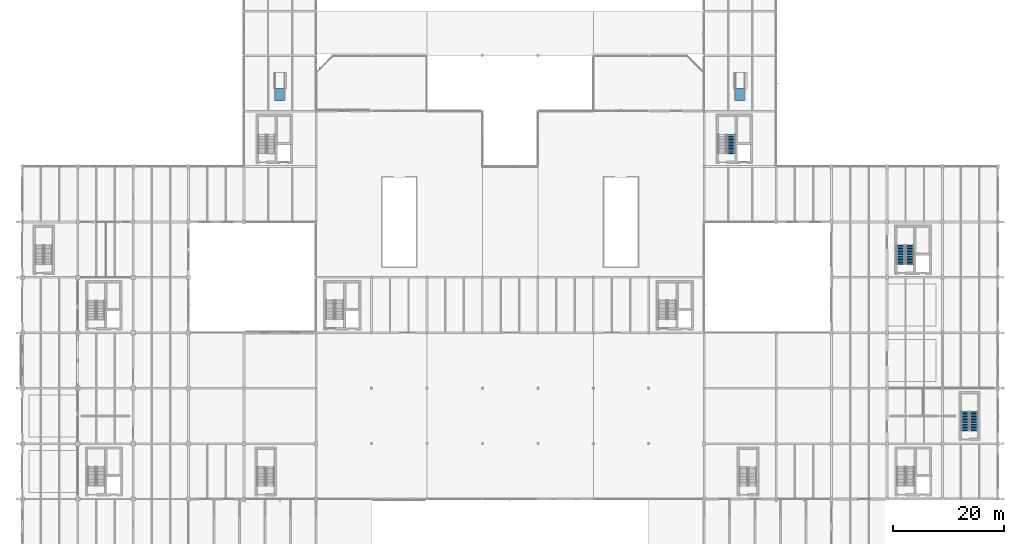
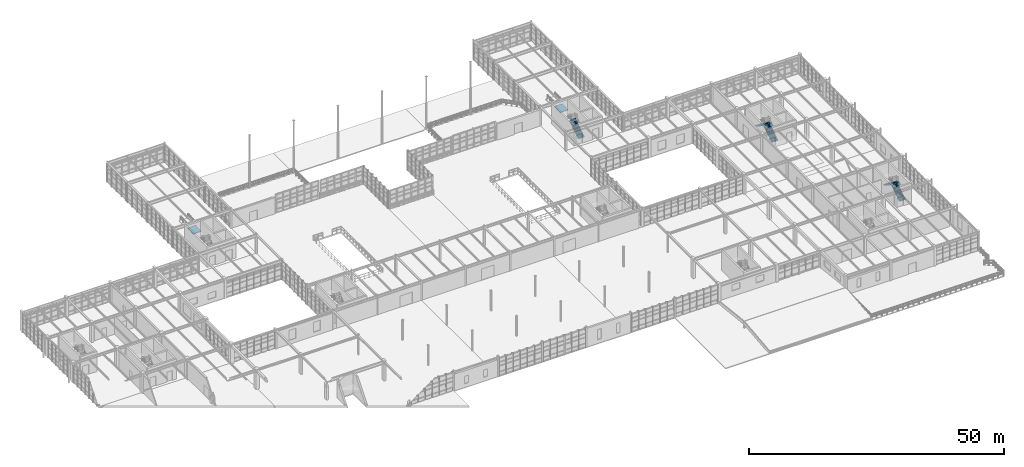
# One storey, part 124 of 139: 5 stair flights, 2 ramp flights, 5 elements without a shape of their own.
"""IFC4 building model written with IfcOpenShell, lengths in metres."""

from ifc_helpers import new_model, si_unit, direction, frame, origin, place, context, subcontext, project, spatial, polyline, outline, extrude, material, layer, layer_set, type_object, element, aggregate, save


model = new_model("IFC4")

# Units and contexts
model_context = context("Model", 3, precision=1e-05, world=origin(), true_north=direction((0.0, 1.0)))
body_context = subcontext(model_context, "Body", "Model", "MODEL_VIEW")
ifc_project = project(units=[si_unit("LENGTHUNIT", "METRE"), si_unit("AREAUNIT", "SQUARE_METRE"), si_unit("VOLUMEUNIT", "CUBIC_METRE"), si_unit("PLANEANGLEUNIT", "RADIAN"), si_unit("MASSUNIT", "GRAM", prefix="KILO"), si_unit("THERMODYNAMICTEMPERATUREUNIT", "KELVIN"), si_unit("POWERUNIT", "WATT")], contexts=[model_context])

# Site, building, storey
site_placement = place(None, origin())
site = spatial("IfcSite", under=ifc_project, at=site_placement, CompositionType="ELEMENT")
building_placement = place(site_placement, origin())
building = spatial("IfcBuilding", under=site, at=building_placement, Name="Korenveer Ferry Terminal", CompositionType="ELEMENT")
storey_placement = place(building_placement, frame((0.0, 0.0, 5.39990234375)))
storey = spatial("IfcBuildingStorey", under=building, at=storey_placement, Name="L01", CompositionType="ELEMENT", Elevation=5.39990234375)

# Stair, stair flights
ifc_material_1 = material(Name="Concrete C40/50", Category="concrete")
stair_type_1 = type_object("IfcStairType", Name="INT-ST-02", PredefinedType="HALF_TURN_STAIR", material=ifc_material_1)
stair_1_placement = place(storey_placement, frame((160.135009765625, 62.409912109375, 0.0)))
stair_1 = element("IfcStair", 1, at=stair_1_placement, inside=storey, type_object=stair_type_1, Name="L01 East Schengen Core K4", PredefinedType="HALF_TURN_STAIR")
stair_flight_type_1 = type_object("IfcStairFlightType", Name="INT-SF-02", PredefinedType="STRAIGHT", material=ifc_material_1)
stair_flight_1_placement = place(storey_placement, frame((160.135009765625, 62.409912109375, 0.0), z_axis=(0.0, 0.0, 1.0), x_axis=(0.0, 1.0, 0.0)))
stair_flight_1 = element("IfcStairFlight", 2, at=stair_flight_1_placement, type_object=stair_flight_type_1, Name="ST04 flight 1", NumberOfRisers=13, NumberOfTreads=12, PredefinedType="STRAIGHT", RiserHeight=0.184615385, TreadLength=0.28, context=body_context, shape_type="SweptSolid", body=[
    extrude(outline(polyline([(-0.080078125, 0.0), (0.0, 0.0), (0.0, 0.1845703125), (0.280029296875, 0.1845703125), (0.280029296875, 0.369140625), (0.56005859375, 0.369140625), (0.56005859375, 0.553955078125), (0.840087890625, 0.553955078125), (0.840087890625, 0.738525390625), (1.1201171875, 0.738525390625), (1.1201171875, 0.923095703125), (1.39990234375, 0.923095703125), (1.39990234375, 1.107666015625), (1.679931640625, 1.107666015625), (1.679931640625, 1.292236328125), (1.9599609375, 1.292236328125), (1.9599609375, 1.476806640625), (2.239990234375, 1.476806640625), (2.239990234375, 1.66162109375), (2.52001953125, 1.66162109375), (2.52001953125, 1.84619140625), (2.800048828125, 1.84619140625), (2.800048828125, 2.03076171875), (3.080078125, 2.03076171875), (3.080078125, 2.21533203125), (3.360107421875, 2.21533203125), (3.360107421875, 2.39990234375), (3.420166015625, 2.39990234375), (3.420166015625, 2.25), (3.360107421875, 2.035888671875), (0.272216796875, 0.0), (0.0, -0.10009765625), (-0.080078125, -0.10009765625), (-0.080078125, 0.0)])), frame((0.0, 0.72509765625, 0.0), z_axis=(0.0, -1.0, 0.0), x_axis=(1.0, 0.0, 0.0)), (0.0, 0.0, 1.0), 1.449951171875),
])
stair_flight_2_placement = place(storey_placement, frame((158.485107421875, 65.77001953125, 2.400146484375), z_axis=(0.0, 0.0, 1.0), x_axis=(0.0, -1.0, 0.0)))
stair_flight_2 = element("IfcStairFlight", 3, at=stair_flight_2_placement, type_object=stair_flight_type_1, Name="ST04 flight 2", NumberOfRisers=13, NumberOfTreads=12, PredefinedType="STRAIGHT", RiserHeight=0.184615385, TreadLength=0.28, context=body_context, shape_type="SweptSolid", body=[
    extrude(outline(polyline([(-0.080078125, 0.0), (0.0, 0.0), (0.0, 0.1845703125), (0.280029296875, 0.1845703125), (0.280029296875, 0.369140625), (0.56005859375, 0.369140625), (0.56005859375, 0.553955078125), (0.840087890625, 0.553955078125), (0.840087890625, 0.738525390625), (1.1201171875, 0.738525390625), (1.1201171875, 0.923095703125), (1.39990234375, 0.923095703125), (1.39990234375, 1.107666015625), (1.679931640625, 1.107666015625), (1.679931640625, 1.292236328125), (1.9599609375, 1.292236328125), (1.9599609375, 1.476806640625), (2.239990234375, 1.476806640625), (2.239990234375, 1.66162109375), (2.52001953125, 1.66162109375), (2.52001953125, 1.84619140625), (2.800048828125, 1.84619140625), (2.800048828125, 2.03076171875), (3.080078125, 2.03076171875), (3.080078125, 2.21533203125), (3.360107421875, 2.21533203125), (3.360107421875, 2.39990234375), (3.420166015625, 2.39990234375), (3.420166015625, 2.25), (3.360107421875, 2.035888671875), (0.272216796875, 0.0), (0.0, -0.10009765625), (-0.080078125, -0.10009765625), (-0.080078125, 0.0)])), frame((0.0, 0.72509765625, 0.0), z_axis=(0.0, -1.0, 0.0), x_axis=(1.0, 0.0, 0.0)), (0.0, 0.0, 1.0), 1.449951171875),
])
aggregate(stair_1, [stair_flight_1, stair_flight_2])

# Stair, stair flight
stair_type_2 = type_object("IfcStairType", Name="INT-ST-08", PredefinedType="HALF_TURN_STAIR", material=ifc_material_1)
stair_2_placement = place(storey_placement, frame((127.889892578125, 82.3798828125, 0.0)))
stair_2 = element("IfcStair", 4, at=stair_2_placement, inside=storey, type_object=stair_type_2, Name="L01 East Berth Pier Core K8", PredefinedType="HALF_TURN_STAIR")
stair_flight_type_2 = type_object("IfcStairFlightType", Name="INT-SF-08", PredefinedType="STRAIGHT", material=ifc_material_1)
stair_flight_3_placement = place(storey_placement, frame((127.889892578125, 82.3798828125, 0.0), z_axis=(0.0, 0.0, 1.0), x_axis=(0.0, 1.0, 0.0)))
stair_flight_3 = element("IfcStairFlight", 5, at=stair_flight_3_placement, type_object=stair_flight_type_2, Name="ST08 flight 1", NumberOfRisers=13, NumberOfTreads=12, PredefinedType="STRAIGHT", RiserHeight=0.184615385, TreadLength=0.28, context=body_context, shape_type="SweptSolid", body=[
    extrude(outline(polyline([(-0.080078125, 0.0), (0.0, 0.0), (0.0, 0.1845703125), (0.280029296875, 0.1845703125), (0.280029296875, 0.369140625), (0.56005859375, 0.369140625), (0.56005859375, 0.553955078125), (0.840087890625, 0.553955078125), (0.840087890625, 0.738525390625), (1.1201171875, 0.738525390625), (1.1201171875, 0.923095703125), (1.39990234375, 0.923095703125), (1.39990234375, 1.107666015625), (1.679931640625, 1.107666015625), (1.679931640625, 1.292236328125), (1.9599609375, 1.292236328125), (1.9599609375, 1.476806640625), (2.239990234375, 1.476806640625), (2.239990234375, 1.66162109375), (2.52001953125, 1.66162109375), (2.52001953125, 1.84619140625), (2.800048828125, 1.84619140625), (2.800048828125, 2.03076171875), (3.080078125, 2.03076171875), (3.080078125, 2.21533203125), (3.360107421875, 2.21533203125), (3.360107421875, 2.39990234375), (3.420166015625, 2.39990234375), (3.420166015625, 2.25), (3.360107421875, 2.035888671875), (0.272216796875, 0.0), (0.0, -0.10009765625), (-0.080078125, -0.10009765625), (-0.080078125, 0.0)])), frame((0.0, 0.7099609375, 0.0), z_axis=(0.0, -1.0, 0.0), x_axis=(1.0, 0.0, 0.0)), (0.0, 0.0, 1.0), 1.419921875),
])
aggregate(stair_2, [stair_flight_3])

# Stair, stair flights
stair_3_placement = place(storey_placement, frame((171.68994140625, 32.3798828125, 0.0)))
stair_3 = element("IfcStair", 6, at=stair_3_placement, inside=storey, type_object=stair_type_2, Name="L01 Schengen South Stair Core K12", PredefinedType="HALF_TURN_STAIR")
stair_flight_4_placement = place(storey_placement, frame((171.68994140625, 32.3798828125, 0.0), z_axis=(0.0, 0.0, 1.0), x_axis=(0.0, 1.0, 0.0)))
stair_flight_4 = element("IfcStairFlight", 7, at=stair_flight_4_placement, type_object=stair_flight_type_2, Name="ST12 flight 1", NumberOfRisers=13, NumberOfTreads=12, PredefinedType="STRAIGHT", RiserHeight=0.184615385, TreadLength=0.28, context=body_context, shape_type="SweptSolid", body=[
    extrude(outline(polyline([(-0.080078125, 0.0), (0.0, 0.0), (0.0, 0.1845703125), (0.280029296875, 0.1845703125), (0.280029296875, 0.369140625), (0.56005859375, 0.369140625), (0.56005859375, 0.553955078125), (0.840087890625, 0.553955078125), (0.840087890625, 0.738525390625), (1.1201171875, 0.738525390625), (1.1201171875, 0.923095703125), (1.39990234375, 0.923095703125), (1.39990234375, 1.107666015625), (1.679931640625, 1.107666015625), (1.679931640625, 1.292236328125), (1.9599609375, 1.292236328125), (1.9599609375, 1.476806640625), (2.239990234375, 1.476806640625), (2.239990234375, 1.66162109375), (2.52001953125, 1.66162109375), (2.52001953125, 1.84619140625), (2.800048828125, 1.84619140625), (2.800048828125, 2.03076171875), (3.080078125, 2.03076171875), (3.080078125, 2.21533203125), (3.360107421875, 2.21533203125), (3.360107421875, 2.39990234375), (3.420166015625, 2.39990234375), (3.420166015625, 2.25), (3.360107421875, 2.035888671875), (0.272216796875, 0.0), (0.0, -0.10009765625), (-0.080078125, -0.10009765625), (-0.080078125, 0.0)])), frame((0.0, 0.7099609375, 0.0), z_axis=(0.0, -1.0, 0.0), x_axis=(1.0, 0.0, 0.0)), (0.0, 0.0, 1.0), 1.419921875),
])
stair_flight_5_placement = place(storey_placement, frame((170.070068359375, 35.739990234375, 2.400146484375), z_axis=(0.0, 0.0, 1.0), x_axis=(0.0, -1.0, 0.0)))
stair_flight_5 = element("IfcStairFlight", 8, at=stair_flight_5_placement, type_object=stair_flight_type_2, Name="ST12 flight 2", NumberOfRisers=13, NumberOfTreads=12, PredefinedType="STRAIGHT", RiserHeight=0.184615385, TreadLength=0.28, context=body_context, shape_type="SweptSolid", body=[
    extrude(outline(polyline([(-0.080078125, 0.0), (0.0, 0.0), (0.0, 0.1845703125), (0.280029296875, 0.1845703125), (0.280029296875, 0.369140625), (0.56005859375, 0.369140625), (0.56005859375, 0.553955078125), (0.840087890625, 0.553955078125), (0.840087890625, 0.738525390625), (1.1201171875, 0.738525390625), (1.1201171875, 0.923095703125), (1.39990234375, 0.923095703125), (1.39990234375, 1.107666015625), (1.679931640625, 1.107666015625), (1.679931640625, 1.292236328125), (1.9599609375, 1.292236328125), (1.9599609375, 1.476806640625), (2.239990234375, 1.476806640625), (2.239990234375, 1.66162109375), (2.52001953125, 1.66162109375), (2.52001953125, 1.84619140625), (2.800048828125, 1.84619140625), (2.800048828125, 2.03076171875), (3.080078125, 2.03076171875), (3.080078125, 2.21533203125), (3.360107421875, 2.21533203125), (3.360107421875, 2.39990234375), (3.420166015625, 2.39990234375), (3.420166015625, 2.25), (3.360107421875, 2.035888671875), (0.272216796875, 0.0), (0.0, -0.10009765625), (-0.080078125, -0.10009765625), (-0.080078125, 0.0)])), frame((0.0, 0.7099609375, 0.0), z_axis=(0.0, -1.0, 0.0), x_axis=(1.0, 0.0, 0.0)), (0.0, 0.0, 1.0), 1.419921875),
])
aggregate(stair_3, [stair_flight_4, stair_flight_5])

# Ramp, ramp flight
ifc_material_2 = material(Name="Concrete C35/45", Category="concrete")
ramp_type = type_object("IfcRampType", Name="INT-RMP-ACC", PredefinedType="STRAIGHT_RUN_RAMP", material=ifc_material_2)
ramp_1_placement = place(storey_placement, frame((46.5, 92.0, 0.0)))
ramp_1 = element("IfcRamp", 9, at=ramp_1_placement, inside=storey, type_object=ramp_type, Name="West Berth Gate Accessible Ramp", PredefinedType="STRAIGHT_RUN_RAMP")
ifc_layer = layer(ifc_material_2, 0.179931640625)
ifc_layer_set = layer_set([ifc_layer], Name="Concrete C35/45")
ramp_flight_type = type_object("IfcRampFlightType", Name="INT-RMF-ACC", PredefinedType="STRAIGHT", material=ifc_layer_set)
ramp_flight_1_placement = place(storey_placement, frame((46.5, 92.0, 0.0), z_axis=(0.0, 0.0, 1.0), x_axis=(0.0, 1.0, 0.0)))
ramp_flight_1 = element("IfcRampFlight", 10, at=ramp_flight_1_placement, type_object=ramp_flight_type, Name="West Berth Gate Accessible Ramp flight", PredefinedType="STRAIGHT", context=body_context, shape_type="SweptSolid", body=[
    extrude(outline(polyline([(-0.080078125, 0.0), (0.0, 0.0), (2.0, 0.16015625), (2.080078125, 0.16015625), (2.080078125, 0.000244140625), (2.0, 0.000244140625), (0.0, -0.159912109375), (-0.080078125, -0.159912109375), (-0.080078125, 0.0)])), frame((0.0, 0.89990234375, 0.0), z_axis=(0.0, -1.0, 0.0), x_axis=(1.0, 0.0, 0.0)), (0.0, 0.0, 1.0), 1.800048828125),
])
aggregate(ramp_1, [ramp_flight_1])

ramp_2_placement = place(storey_placement, frame((129.5, 92.0, 0.0)))
ramp_2 = element("IfcRamp", 11, at=ramp_2_placement, inside=storey, type_object=ramp_type, Name="East Berth Gate Accessible Ramp", PredefinedType="STRAIGHT_RUN_RAMP")
ramp_flight_2_placement = place(storey_placement, frame((129.5, 92.0, 0.0), z_axis=(0.0, 0.0, 1.0), x_axis=(0.0, 1.0, 0.0)))
ramp_flight_2 = element("IfcRampFlight", 12, at=ramp_flight_2_placement, type_object=ramp_flight_type, Name="East Berth Gate Accessible Ramp flight", PredefinedType="STRAIGHT", context=body_context, shape_type="SweptSolid", body=[
    extrude(outline(polyline([(-0.080078125, 0.0), (0.0, 0.0), (2.0, 0.16015625), (2.080078125, 0.16015625), (2.080078125, 0.000244140625), (2.0, 0.000244140625), (0.0, -0.159912109375), (-0.080078125, -0.159912109375), (-0.080078125, 0.0)])), frame((0.0, 0.89990234375, 0.0), z_axis=(0.0, -1.0, 0.0), x_axis=(1.0, 0.0, 0.0)), (0.0, 0.0, 1.0), 1.800048828125),
])
aggregate(ramp_2, [ramp_flight_2])

save(model, "model.ifc")
